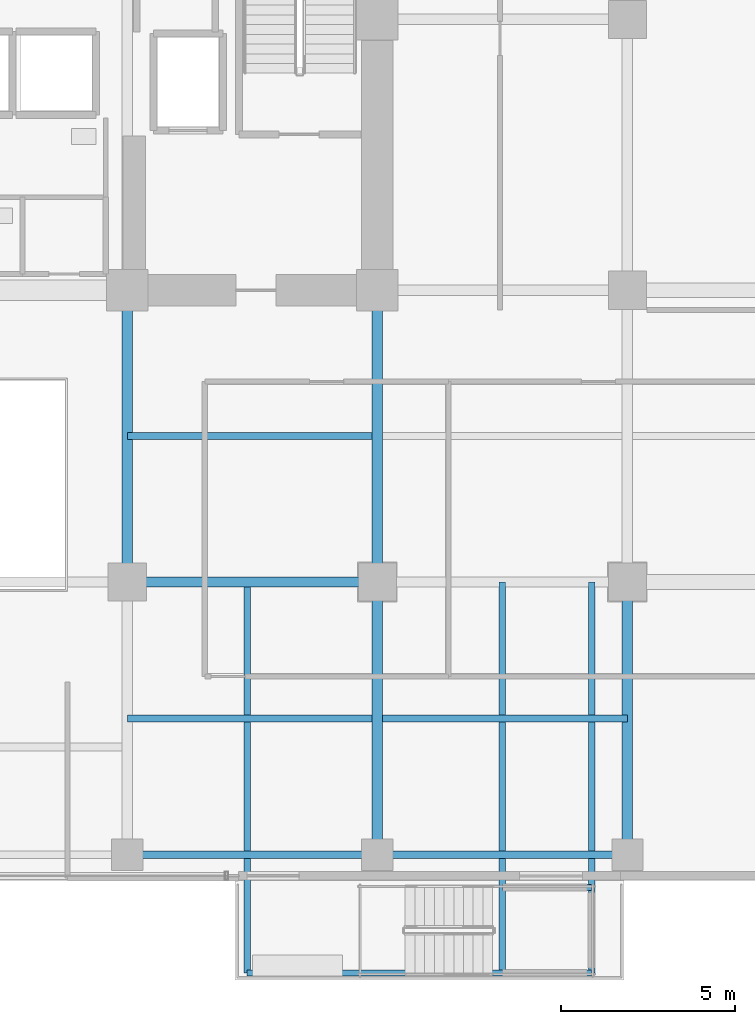
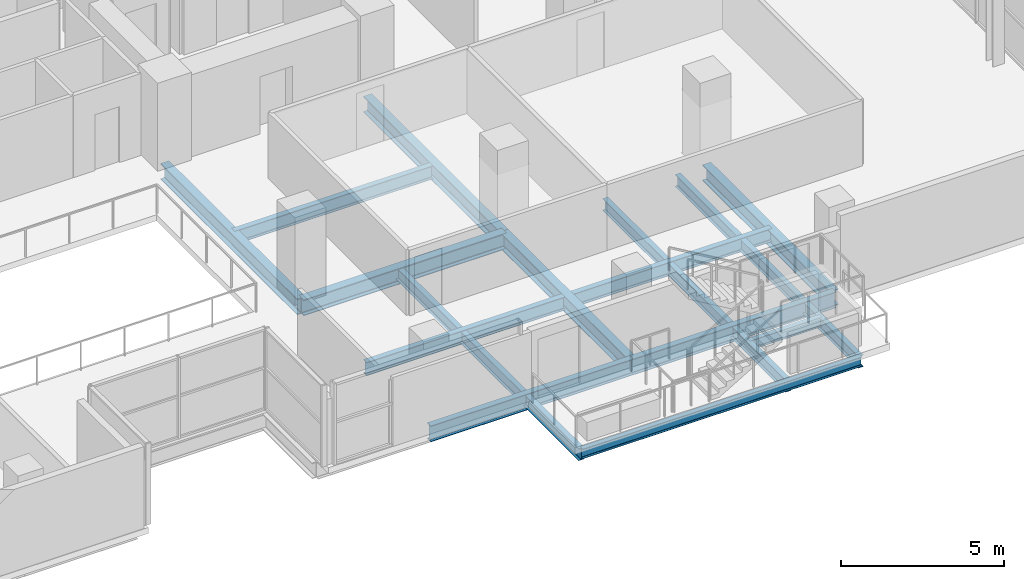
# One storey, part 10 of 31: 15 beams.
"""IFC4 building model written with IfcOpenShell, lengths in metres."""

from ifc_helpers import new_model, si_unit, direction, frame, origin, origin_2d, place, context, subcontext, project, spatial, i_section, extrude, material, material_profile, profile_set, type_object, element, save


model = new_model("IFC4")

# Units and contexts
model_context = context("Model", 3, precision=1e-05, world=origin(), true_north=direction((0.0, 1.0)))
body_context = subcontext(model_context, "Body", "Model", "MODEL_VIEW")
ifc_project = project(units=[si_unit("LENGTHUNIT", "METRE"), si_unit("AREAUNIT", "SQUARE_METRE"), si_unit("VOLUMEUNIT", "CUBIC_METRE"), si_unit("PLANEANGLEUNIT", "RADIAN"), si_unit("MASSUNIT", "GRAM", prefix="KILO")], contexts=[model_context])

# Site, building, storey
site_placement = place(None, origin())
site = spatial("IfcSite", under=ifc_project, at=site_placement, CompositionType="ELEMENT")
building_placement = place(site_placement, origin())
building = spatial("IfcBuilding", under=site, at=building_placement, Name="Zarnakvel Exchange Tower", CompositionType="ELEMENT")
storey_placement = place(building_placement, frame((0.0, 0.0, 53.800048828125)))
storey = spatial("IfcBuildingStorey", under=building, at=storey_placement, Name="L14", CompositionType="ELEMENT", Elevation=53.800048828125)

# Beams
ifc_material = material(Name="Steel S355", Category="steel")
ifc_material_profile_1 = material_profile(ifc_material, i_section(OverallWidth=0.199951171875, OverallDepth=0.5, WebThickness=0.01025390625, FlangeThickness=0.01611328125, FilletRadius=0.02099609375, at=origin_2d()))
ifc_profile_set_1 = profile_set([ifc_material_profile_1], Name="Steel S355")
beam_type_1 = type_object("IfcBeamType", Name="B-04", PredefinedType="JOIST", material=ifc_profile_set_1)
for number, where, z_axis, x_axis, name in (
    (1, (7.199951171875, -13.52490234375, -0.47509765625), (1.0, 0.0, 0.0), (0.0, 1.0, 0.0), "L14 Composite Floor Secondary Joist"),
    (2, (14.550048828125, -13.52490234375, -0.47509765625), (1.0, 0.0, 0.0), (0.0, 1.0, 0.0), "L14 Composite Floor Secondary Joist"),
    (3, (7.199951171875, -5.39990234375, -0.47509765625), (1.0, 0.0, 0.0), (0.0, 1.0, 0.0), "L14 Composite Floor Secondary Joist"),
):
    element("IfcBeam", number, at=place(storey_placement, frame(where, z_axis=z_axis, x_axis=x_axis)), inside=storey, type_object=beam_type_1, Name=name, PredefinedType="JOIST", context=body_context, shape_type="SweptSolid", body=[
        extrude(i_section(OverallWidth=0.199951171875, OverallDepth=0.5, WebThickness=0.01025390625, FlangeThickness=0.01611328125, FilletRadius=0.02099609375, at=origin_2d()), origin(), (0.0, 0.0, 1.0), 7.050048828125),
    ])
ifc_material_profile_2 = material_profile(ifc_material, i_section(OverallWidth=0.18994140625, OverallDepth=0.449951171875, WebThickness=0.009521484375, FlangeThickness=0.0146484375, FilletRadius=0.02099609375, at=origin_2d()))
ifc_profile_set_2 = profile_set([ifc_material_profile_2], Name="Steel S355")
beam_type_2 = type_object("IfcBeamType", Name="B-05", PredefinedType="JOIST", material=ifc_profile_set_2)
for number, where, z_axis, x_axis, name in (
    (4, (10.64990234375, -9.60009765625, -0.47509765625), (0.0, -1.0, 0.0), (1.0, 0.0, 0.0), "L14 Continuous Spiral Terrace Beam W"),
    (5, (20.570068359375, -9.60009765625, -0.47509765625), (0.0, -1.0, 0.0), (1.0, 0.0, 0.0), "L14 Continuous Spiral Terrace Beam E"),
    (6, (18.0, -9.60009765625, -0.47509765625), (0.0, -1.0, 0.0), (1.0, 0.0, 0.0), "L14 Terrace Stair Plinth Beam W"),
):
    element("IfcBeam", number, at=place(storey_placement, frame(where, z_axis=z_axis, x_axis=x_axis)), inside=storey, type_object=beam_type_2, Name=name, PredefinedType="JOIST", context=body_context, shape_type="SweptSolid", body=[
        extrude(i_section(OverallWidth=0.18994140625, OverallDepth=0.449951171875, WebThickness=0.009521484375, FlangeThickness=0.0146484375, FilletRadius=0.02099609375, at=origin_2d()), origin(), (0.0, 0.0, 1.0), 11.260009765625),
    ])
ifc_material_profile_3 = material_profile(ifc_material, i_section(OverallWidth=0.169921875, OverallDepth=0.360107421875, WebThickness=0.008056640625, FlangeThickness=0.0126953125, FilletRadius=0.01806640625, at=origin_2d()))
ifc_profile_set_3 = profile_set([ifc_material_profile_3], Name="Steel S355")
beam_type_3 = type_object("IfcBeamType", Name="B-07", PredefinedType="JOIST", material=ifc_profile_set_3)
beam_1_placement = place(storey_placement, frame((10.64990234375, -20.860107421875, -0.429931640625), z_axis=(1.0, 0.0, 0.0), x_axis=(0.0, 1.0, 0.0)))
element("IfcBeam", 7, at=beam_1_placement, inside=storey, type_object=beam_type_3, Name="L14 Spiral Terrace Edge Beam", PredefinedType="JOIST", context=body_context, shape_type="SweptSolid", body=[
    extrude(i_section(OverallWidth=0.169921875, OverallDepth=0.360107421875, WebThickness=0.008056640625, FlangeThickness=0.0126953125, FilletRadius=0.01806640625, at=origin_2d()), origin(), (0.0, 0.0, 1.0), 9.920166015625),
])
beam_2_placement = place(storey_placement, frame((18.0, -18.39990234375, -0.429931640625), z_axis=(1.0, 0.0, 0.0), x_axis=(0.0, 1.0, 0.0)))
element("IfcBeam", 8, at=beam_2_placement, inside=storey, type_object=beam_type_3, Name="L14 Terrace Stair Plinth Inner Beam", PredefinedType="JOIST", context=body_context, shape_type="SweptSolid", body=[
    extrude(i_section(OverallWidth=0.169921875, OverallDepth=0.360107421875, WebThickness=0.008056640625, FlangeThickness=0.0126953125, FilletRadius=0.01806640625, at=origin_2d()), origin(), (0.0, 0.0, 1.0), 2.570068359375),
])
ifc_material_profile_4 = material_profile(ifc_material, i_section(OverallWidth=0.300048828125, OverallDepth=0.60009765625, WebThickness=0.015380859375, FlangeThickness=0.030029296875, FilletRadius=0.027099609375, at=origin_2d()))
ifc_profile_set_4 = profile_set([ifc_material_profile_4], Name="Steel S355")
beam_type_4 = type_object("IfcBeamType", Name="G-04", PredefinedType="BEAM", material=ifc_profile_set_4)
beam_3_placement = place(storey_placement, frame((7.199951171875, -9.60009765625, -0.525146484375), z_axis=(1.0, 0.0, 0.0), x_axis=(0.0, 1.0, 0.0)))
element("IfcBeam", 9, at=beam_3_placement, inside=storey, type_object=beam_type_4, Name="L14 Tower E-W Frame Beam", PredefinedType="BEAM", context=body_context, shape_type="SweptSolid", body=[
    extrude(i_section(OverallWidth=0.300048828125, OverallDepth=0.60009765625, WebThickness=0.015380859375, FlangeThickness=0.030029296875, FilletRadius=0.027099609375, at=origin_2d()), origin(), (0.0, 0.0, 1.0), 7.199951171875),
])
beam_4_placement = place(storey_placement, frame((7.199951171875, -9.60009765625, -0.525146484375), z_axis=(0.0, 1.0, 0.0), x_axis=(-1.0, 0.0, 0.0)))
element("IfcBeam", 10, at=beam_4_placement, inside=storey, type_object=beam_type_4, Name="L14 Tower N-S Frame Beam", PredefinedType="BEAM", context=body_context, shape_type="SweptSolid", body=[
    extrude(i_section(OverallWidth=0.300048828125, OverallDepth=0.60009765625, WebThickness=0.015380859375, FlangeThickness=0.030029296875, FilletRadius=0.027099609375, at=origin_2d()), origin(), (0.0, 0.0, 1.0), 8.400146484375),
])
beam_5_placement = place(storey_placement, frame((14.39990234375, -17.449951171875, -0.525146484375), z_axis=(0.0, 1.0, 0.0), x_axis=(-1.0, 0.0, 0.0)))
element("IfcBeam", 11, at=beam_5_placement, inside=storey, type_object=beam_type_4, Name="L14 Tower N-S Frame Beam", PredefinedType="BEAM", context=body_context, shape_type="SweptSolid", body=[
    extrude(i_section(OverallWidth=0.300048828125, OverallDepth=0.60009765625, WebThickness=0.015380859375, FlangeThickness=0.030029296875, FilletRadius=0.027099609375, at=origin_2d()), origin(), (0.0, 0.0, 1.0), 7.849853515625),
])
beam_6_placement = place(storey_placement, frame((14.39990234375, -9.60009765625, -0.525146484375), z_axis=(0.0, 1.0, 0.0), x_axis=(-1.0, 0.0, 0.0)))
element("IfcBeam", 12, at=beam_6_placement, inside=storey, type_object=beam_type_4, Name="L14 Tower N-S Frame Beam", PredefinedType="BEAM", context=body_context, shape_type="SweptSolid", body=[
    extrude(i_section(OverallWidth=0.300048828125, OverallDepth=0.60009765625, WebThickness=0.015380859375, FlangeThickness=0.030029296875, FilletRadius=0.027099609375, at=origin_2d()), origin(), (0.0, 0.0, 1.0), 8.400146484375),
])
beam_7_placement = place(storey_placement, frame((21.60009765625, -17.449951171875, -0.525146484375), z_axis=(0.0, 1.0, 0.0), x_axis=(-1.0, 0.0, 0.0)))
element("IfcBeam", 13, at=beam_7_placement, inside=storey, type_object=beam_type_4, Name="L14 Tower N-S Frame Beam", PredefinedType="BEAM", context=body_context, shape_type="SweptSolid", body=[
    extrude(i_section(OverallWidth=0.300048828125, OverallDepth=0.60009765625, WebThickness=0.015380859375, FlangeThickness=0.030029296875, FilletRadius=0.027099609375, at=origin_2d()), origin(), (0.0, 0.0, 1.0), 7.849853515625),
])
ifc_material_profile_5 = material_profile(ifc_material, i_section(OverallWidth=0.219970703125, OverallDepth=0.60009765625, WebThickness=0.011962890625, FlangeThickness=0.01904296875, FilletRadius=0.02392578125, at=origin_2d()))
ifc_profile_set_5 = profile_set([ifc_material_profile_5], Name="Steel S355")
beam_type_5 = type_object("IfcBeamType", Name="SP-01", PredefinedType="SPANDREL", material=ifc_profile_set_5)
beam_8_placement = place(storey_placement, frame((7.199951171875, -17.449951171875, -0.525146484375), z_axis=(1.0, 0.0, 0.0), x_axis=(0.0, 1.0, 0.0)))
element("IfcBeam", 14, at=beam_8_placement, inside=storey, type_object=beam_type_5, Name="L14 Tower E-W Frame Beam", PredefinedType="SPANDREL", context=body_context, shape_type="SweptSolid", body=[
    extrude(i_section(OverallWidth=0.219970703125, OverallDepth=0.60009765625, WebThickness=0.011962890625, FlangeThickness=0.01904296875, FilletRadius=0.02392578125, at=origin_2d()), origin(), (0.0, 0.0, 1.0), 7.199951171875),
])
beam_9_placement = place(storey_placement, frame((14.39990234375, -17.449951171875, -0.525146484375), z_axis=(1.0, 0.0, 0.0), x_axis=(0.0, 1.0, 0.0)))
element("IfcBeam", 15, at=beam_9_placement, inside=storey, type_object=beam_type_5, Name="L14 Tower E-W Frame Beam", PredefinedType="SPANDREL", context=body_context, shape_type="SweptSolid", body=[
    extrude(i_section(OverallWidth=0.219970703125, OverallDepth=0.60009765625, WebThickness=0.011962890625, FlangeThickness=0.01904296875, FilletRadius=0.02392578125, at=origin_2d()), origin(), (0.0, 0.0, 1.0), 7.2001953125),
])

save(model, "model.ifc")
